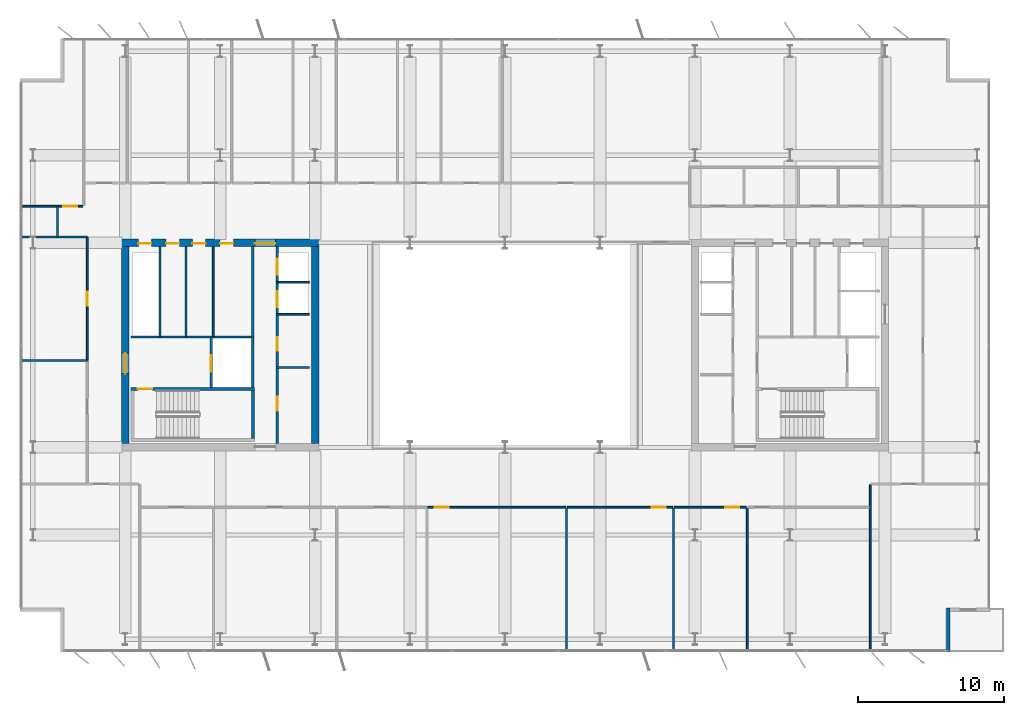
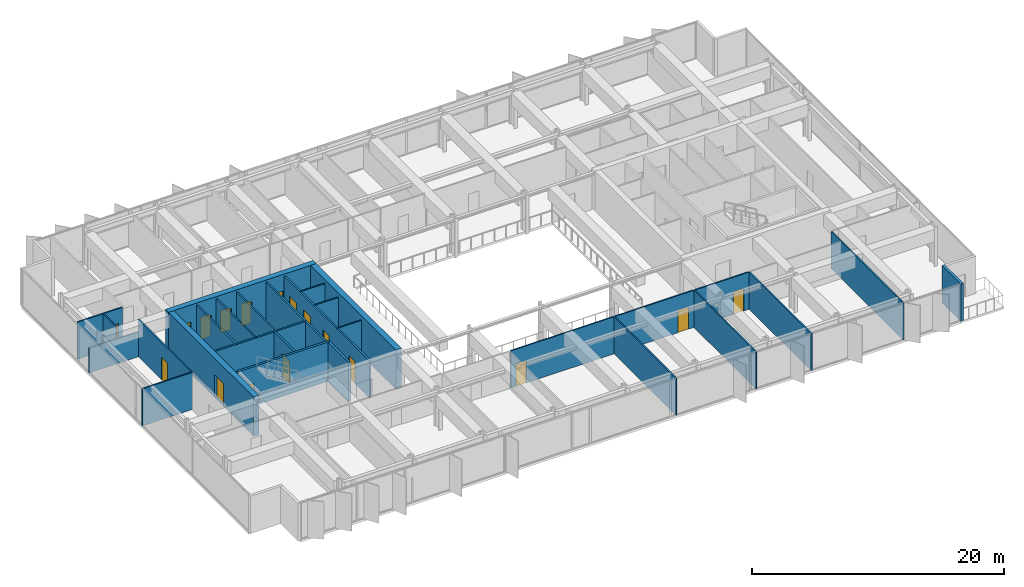
# One storey, part 17 of 24: 29 walls, 17 doors, 17 openings.
"""IFC4 building model written with IfcOpenShell, lengths in metres."""

from ifc_helpers import new_model, si_unit, direction, frame, frame_2d, origin, place, context, subcontext, project, spatial, rectangle, extrude, material, layer, layer_set, type_object, element, fill, save


model = new_model("IFC4")

# Units and contexts
model_context = context("Model", 3, precision=1e-05, world=origin(), true_north=direction((0.0, 1.0)))
body_context = subcontext(model_context, "Body", "Model", "MODEL_VIEW")
ifc_project = project(units=[si_unit("LENGTHUNIT", "METRE"), si_unit("AREAUNIT", "SQUARE_METRE"), si_unit("VOLUMEUNIT", "CUBIC_METRE"), si_unit("PLANEANGLEUNIT", "RADIAN"), si_unit("MASSUNIT", "GRAM", prefix="KILO")], contexts=[model_context])

# Site, building, storey
site_placement = place(None, origin())
site = spatial("IfcSite", under=ifc_project, at=site_placement, CompositionType="ELEMENT")
building_placement = place(site_placement, origin())
building = spatial("IfcBuilding", under=site, at=building_placement, Name="Putna Gate Headquarters", CompositionType="ELEMENT")
storey_placement = place(building_placement, frame((0.0, 0.0, 251.800048828125)))
storey = spatial("IfcBuildingStorey", under=building, at=storey_placement, Name="L63", CompositionType="ELEMENT", Elevation=251.800048828125)

# Wall, openings, doors
ifc_material_1 = material(Name="Concrete C50/60", Category="concrete")
ifc_layer_1 = layer(ifc_material_1, 0.5)
ifc_layer_set_1 = layer_set([ifc_layer_1], Name="Concrete C50/60")
wall_type_1 = type_object("IfcWallType", Name="WALL-CORE-500", PredefinedType="SHEAR", material=ifc_layer_set_1)
wall_1_placement = place(storey_placement, frame((12.75, 33.0, 0.0), z_axis=(0.0, 0.0, 1.0), x_axis=(1.0, 0.0, 0.0)))
wall_1 = element("IfcWall", 1, at=wall_1_placement, inside=storey, type_object=wall_type_1, Name="L63 WC Split Core Shear Wall N", PredefinedType="SHEAR", context=body_context, shape_type="SweptSolid", body=[
    extrude(rectangle(XDim=13.5, YDim=0.5, at=frame_2d((6.75, 0.0))), origin(), (0.0, 0.0, 1.0), 3.800048828125),
])
opening_1_placement = place(wall_1_placement, frame((1.14990234375, 0.0, 0.0)))
opening_1 = element("IfcOpeningElement", 2, at=opening_1_placement, cuts=wall_1, Name="Opening RD-90", PredefinedType="OPENING", context=body_context, shape_type="SweptSolid", body=[
    extrude(rectangle(XDim=0.89990234375, YDim=2.14990234375, at=frame_2d((0.449951171875, 1.074951171875))), frame((0.0, 0.260009765625, 0.0), z_axis=(0.0, -1.0, 0.0), x_axis=(1.0, 0.0, 0.0)), (0.0, 0.0, 1.0), 0.52001953125),
])
opening_2_placement = place(wall_1_placement, frame((3.050048828125, 0.0, 0.0)))
opening_2 = element("IfcOpeningElement", 3, at=opening_2_placement, cuts=wall_1, Name="Opening IDS-90", PredefinedType="OPENING", context=body_context, shape_type="SweptSolid", body=[
    extrude(rectangle(XDim=0.89990234375, YDim=2.14990234375, at=frame_2d((0.449951171875, 1.074951171875))), frame((0.0, 0.260009765625, 0.0), z_axis=(0.0, -1.0, 0.0), x_axis=(1.0, 0.0, 0.0)), (0.0, 0.0, 1.0), 0.52001953125),
])
opening_3_placement = place(wall_1_placement, frame((4.85009765625, 0.0, 0.0)))
opening_3 = element("IfcOpeningElement", 4, at=opening_3_placement, cuts=wall_1, Name="Opening IDS-90", PredefinedType="OPENING", context=body_context, shape_type="SweptSolid", body=[
    extrude(rectangle(XDim=0.89990234375, YDim=2.14990234375, at=frame_2d((0.449951171875, 1.074951171875))), frame((0.0, 0.260009765625, 0.0), z_axis=(0.0, -1.0, 0.0), x_axis=(1.0, 0.0, 0.0)), (0.0, 0.0, 1.0), 0.52001953125),
])
opening_4_placement = place(wall_1_placement, frame((6.75, 0.0, 0.0)))
opening_4 = element("IfcOpeningElement", 5, at=opening_4_placement, cuts=wall_1, Name="Opening IDS-90", PredefinedType="OPENING", context=body_context, shape_type="SweptSolid", body=[
    extrude(rectangle(XDim=0.89990234375, YDim=2.14990234375, at=frame_2d((0.449951171875, 1.074951171875))), frame((0.0, 0.260009765625, 0.0), z_axis=(0.0, -1.0, 0.0), x_axis=(1.0, 0.0, 0.0)), (0.0, 0.0, 1.0), 0.52001953125),
])
opening_5_placement = place(wall_1_placement, frame((9.1298828125, 0.0, 0.0)))
opening_5 = element("IfcOpeningElement", 6, at=opening_5_placement, cuts=wall_1, Name="Opening FDD-140", PredefinedType="OPENING", context=body_context, shape_type="SweptSolid", body=[
    extrude(rectangle(XDim=1.39990234375, YDim=2.199951171875, at=frame_2d((0.699951171875, 1.10009765625))), frame((0.0, 0.260009765625, 0.0), z_axis=(0.0, -1.0, 0.0), x_axis=(1.0, 0.0, 0.0)), (0.0, 0.0, 1.0), 0.52001953125),
])
ifc_material_2 = material(Name="Double steel fire door", Category="steel")
door_type_1 = type_object("IfcDoorType", Name="DOOR-FIRE-DBL-1400", OperationType="DOUBLE_DOOR_SINGLE_SWING", PredefinedType="DOOR", material=ifc_material_2)
door_1_placement = place(opening_5_placement, origin())
door_1 = element("IfcDoor", 7, at=door_1_placement, inside=storey, type_object=door_type_1, Name="L63 West Lift Lobby North Door", OperationType="DOUBLE_DOOR_SINGLE_SWING", OverallHeight=2.199951171875, OverallWidth=1.39990234375, PredefinedType="DOOR", context=body_context, shape_type="SweptSolid", body=[
    extrude(rectangle(XDim=1.39990234375, YDim=2.199951171875, at=frame_2d((0.699951171875, 1.10009765625))), frame((0.0, -0.02490234375, 0.0), z_axis=(0.0, -1.0, 0.0), x_axis=(1.0, 0.0, 0.0)), (0.0, 0.0, 1.0), 0.050048828125),
])
fill(opening_5, door_1)
ifc_material_3 = material(Name="Fire-rated utility door")
door_type_2 = type_object("IfcDoorType", Name="DOOR-INT-900", OperationType="NOTDEFINED", PredefinedType="DOOR", material=ifc_material_3)
door_2_placement = place(opening_2_placement, origin())
door_2 = element("IfcDoor", 8, at=door_2_placement, inside=storey, type_object=door_type_2, Name="L63 Janitor Cupboard Door", OperationType="SINGLE_SWING_LEFT", OverallHeight=2.14990234375, OverallWidth=0.89990234375, PredefinedType="DOOR", context=body_context, shape_type="SweptSolid", body=[
    extrude(rectangle(XDim=0.89990234375, YDim=2.14990234375, at=frame_2d((0.449951171875, 1.074951171875))), frame((0.0, -0.02490234375, 0.0), z_axis=(0.0, -1.0, 0.0), x_axis=(1.0, 0.0, 0.0)), (0.0, 0.0, 1.0), 0.050048828125),
])
fill(opening_2, door_2)
door_3_placement = place(opening_3_placement, origin())
door_3 = element("IfcDoor", 9, at=door_3_placement, inside=storey, type_object=door_type_2, Name="L63 IT Patch Plant Door", OperationType="SINGLE_SWING_RIGHT", OverallHeight=2.14990234375, OverallWidth=0.89990234375, PredefinedType="DOOR", context=body_context, shape_type="SweptSolid", body=[
    extrude(rectangle(XDim=0.89990234375, YDim=2.14990234375, at=frame_2d((0.449951171875, 1.074951171875))), frame((0.0, -0.02490234375, 0.0), z_axis=(0.0, -1.0, 0.0), x_axis=(1.0, 0.0, 0.0)), (0.0, 0.0, 1.0), 0.050048828125),
])
fill(opening_3, door_3)
door_4_placement = place(opening_4_placement, origin())
door_4 = element("IfcDoor", 10, at=door_4_placement, inside=storey, type_object=door_type_2, Name="L63 Building Records Store Door", OperationType="SINGLE_SWING_LEFT", OverallHeight=2.14990234375, OverallWidth=0.89990234375, PredefinedType="DOOR", context=body_context, shape_type="SweptSolid", body=[
    extrude(rectangle(XDim=0.89990234375, YDim=2.14990234375, at=frame_2d((0.449951171875, 1.074951171875))), frame((0.0, -0.02490234375, 0.0), z_axis=(0.0, -1.0, 0.0), x_axis=(1.0, 0.0, 0.0)), (0.0, 0.0, 1.0), 0.050048828125),
])
fill(opening_4, door_4)
ifc_material_4 = material(Name="Steel riser access fire door", Category="steel")
door_type_3 = type_object("IfcDoorType", Name="DOOR-RISER-900", OperationType="NOTDEFINED", PredefinedType="DOOR", material=ifc_material_4)
door_5_placement = place(opening_1_placement, origin())
door_5 = element("IfcDoor", 11, at=door_5_placement, inside=storey, type_object=door_type_3, Name="L63 West Riser Access Door", OperationType="SINGLE_SWING_RIGHT", OverallHeight=2.14990234375, OverallWidth=0.89990234375, PredefinedType="DOOR", context=body_context, shape_type="SweptSolid", body=[
    extrude(rectangle(XDim=0.89990234375, YDim=2.14990234375, at=frame_2d((0.449951171875, 1.074951171875))), frame((0.0, -0.02490234375, 0.0), z_axis=(0.0, -1.0, 0.0), x_axis=(1.0, 0.0, 0.0)), (0.0, 0.0, 1.0), 0.050048828125),
])
fill(opening_1, door_5)

# Wall, opening, door
wall_2_placement = place(storey_placement, frame((13.0, 19.25, 0.0), z_axis=(0.0, 0.0, 1.0), x_axis=(0.0, 1.0, 0.0)))
wall_2 = element("IfcWall", 12, at=wall_2_placement, inside=storey, type_object=wall_type_1, Name="L63 WC Split Core Shear Wall W", PredefinedType="SHEAR", context=body_context, shape_type="SweptSolid", body=[
    extrude(rectangle(XDim=13.5, YDim=0.5, at=frame_2d((6.75, 0.0))), origin(), (0.0, 0.0, 1.0), 3.800048828125),
])
opening_6_placement = place(wall_2_placement, frame((4.800048828125, 0.0, 0.0)))
opening_6 = element("IfcOpeningElement", 13, at=opening_6_placement, cuts=wall_2, Name="Opening FDD-140", PredefinedType="OPENING", context=body_context, shape_type="SweptSolid", body=[
    extrude(rectangle(XDim=1.39990234375, YDim=2.199951171875, at=frame_2d((0.699951171875, 1.10009765625))), frame((0.0, 0.260009765625, 0.0), z_axis=(0.0, -1.0, 0.0), x_axis=(1.0, 0.0, 0.0)), (0.0, 0.0, 1.0), 0.52001953125),
])
door_6_placement = place(opening_6_placement, origin())
door_6 = element("IfcDoor", 14, at=door_6_placement, inside=storey, type_object=door_type_1, Name="L63 West Firefighting Lobby Door", OperationType="DOUBLE_DOOR_SINGLE_SWING", OverallHeight=2.199951171875, OverallWidth=1.39990234375, PredefinedType="DOOR", context=body_context, shape_type="SweptSolid", body=[
    extrude(rectangle(XDim=1.39990234375, YDim=2.199951171875, at=frame_2d((0.699951171875, 1.10009765625))), frame((0.0, 0.02490234375, 0.0), z_axis=(0.0, -1.0, 0.0), x_axis=(1.0, 0.0, 0.0)), (0.0, 0.0, 1.0), 0.050048828125),
])
fill(opening_6, door_6)

# Walls
wall_3_placement = place(storey_placement, frame((26.0, 19.25, 0.0), z_axis=(0.0, 0.0, 1.0), x_axis=(0.0, 1.0, 0.0)))
element("IfcWall", 15, at=wall_3_placement, inside=storey, type_object=wall_type_1, Name="L63 WC Split Core Shear Wall E", PredefinedType="SHEAR", context=body_context, shape_type="SweptSolid", body=[
    extrude(rectangle(XDim=13.5, YDim=0.5, at=frame_2d((6.75, 0.0))), origin(), (0.0, 0.0, 1.0), 3.800048828125),
])
ifc_material_5 = material(Name="Precast concrete C40/50", Category="concrete")
ifc_layer_2 = layer(ifc_material_5, 0.239990234375)
ifc_layer_set_2 = layer_set([ifc_layer_2], Name="Precast concrete C40/50")
wall_type_2 = type_object("IfcWallType", Name="WALL-EXT-TERR-240", PredefinedType="STANDARD", material=ifc_layer_set_2)
wall_4_placement = place(storey_placement, frame((69.320068359375, 8.0, 0.0), z_axis=(0.0, 0.0, 1.0), x_axis=(0.0, -1.0, 0.0)))
element("IfcWall", 16, at=wall_4_placement, inside=storey, type_object=wall_type_2, Name="L63 Corner Notch Return Wall SE-V", PredefinedType="STANDARD", context=body_context, shape_type="SweptSolid", body=[
    extrude(rectangle(XDim=3.0, YDim=0.239990234375, at=frame_2d((1.5, 0.0))), origin(), (0.0, 0.0, 1.0), 3.587890625),
])
ifc_material_6 = material(Name="Acoustic gypsum board on metal stud")
ifc_layer_3 = layer(ifc_material_6, 0.1201171875)
ifc_layer_set_3 = layer_set([ifc_layer_3], Name="Acoustic gypsum board on metal stud")
wall_type_3 = type_object("IfcWallType", Name="WALL-PART-120", PredefinedType="PARTITIONING", material=ifc_layer_set_3)
for number, where, z_axis, x_axis, name in (
    (17, (43.21337890625, 5.02001953125, 0.0), (0.0, 0.0, 1.0), (0.0, 1.0, 0.0), "L63 Interior Wall PART-L63-SB-DIV-05"),
    (18, (50.52392578125, 5.02001953125, 0.0), (0.0, 0.0, 1.0), (0.0, 1.0, 0.0), "L63 Interior Wall PART-L63-SB-DIV-06"),
    (19, (55.5693359375, 5.02001953125, 0.0), (0.0, 0.0, 1.0), (0.0, 1.0, 0.0), "L63 Interior Wall PART-L63-SB-DIV-07"),
):
    element("IfcWall", number, at=place(storey_placement, frame(where, z_axis=z_axis, x_axis=x_axis)), inside=storey, type_object=wall_type_3, Name=name, PredefinedType="PARTITIONING", context=body_context, shape_type="SweptSolid", body=[
        extrude(rectangle(XDim=9.820068359375, YDim=0.1201171875, at=frame_2d((4.91015625, 0.0))), origin(), (0.0, 0.0, 1.0), 3.587890625),
    ])
wall_5_placement = place(storey_placement, frame((64.002685546875, 5.02001953125, 0.0), z_axis=(0.0, 0.0, 1.0), x_axis=(0.0, 1.0, 0.0)))
element("IfcWall", 20, at=wall_5_placement, inside=storey, type_object=wall_type_3, Name="L63 Interior Wall PART-L63-SB-DIV-08", PredefinedType="PARTITIONING", context=body_context, shape_type="SweptSolid", body=[
    extrude(rectangle(XDim=11.419921875, YDim=0.1201171875, at=frame_2d((5.7099609375, 0.0))), origin(), (0.0, 0.0, 1.0), 3.587890625),
])
wall_6_placement = place(storey_placement, frame((5.820068359375, 24.949951171875, 0.0), z_axis=(0.0, 0.0, 1.0), x_axis=(1.0, 0.0, 0.0)))
element("IfcWall", 21, at=wall_6_placement, inside=storey, type_object=wall_type_3, Name="L63 Interior Wall PART-L63-WW-DIV-1", PredefinedType="PARTITIONING", context=body_context, shape_type="SweptSolid", body=[
    extrude(rectangle(XDim=4.579833984375, YDim=0.1201171875, at=frame_2d((2.2900390625, 0.0))), origin(), (0.0, 0.0, 1.0), 3.587890625),
])
ifc_material_7 = material(Name="Fire-rated shaftwall gypsum board on metal stud")
ifc_layer_4 = layer(ifc_material_7, 0.1201171875)
ifc_layer_set_4 = layer_set([ifc_layer_4], Name="Fire-rated shaftwall gypsum board on metal stud")
wall_type_4 = type_object("IfcWallType", Name="WALL-PART-120-EI120", PredefinedType="PARTITIONING", material=ifc_layer_set_4)
wall_7_placement = place(storey_placement, frame((23.39990234375, 30.31005859375, 0.0), z_axis=(0.0, 0.0, 1.0), x_axis=(1.0, 0.0, 0.0)))
element("IfcWall", 22, at=wall_7_placement, inside=storey, type_object=wall_type_4, Name="L63 Interior Wall CWINT-L63-WC-LF09-DIV", PredefinedType="PARTITIONING", context=body_context, shape_type="SweptSolid", body=[
    extrude(rectangle(XDim=2.2001953125, YDim=0.1201171875, at=frame_2d((1.10009765625, 0.0))), origin(), (0.0, 0.0, 1.0), 3.587890625),
])
ifc_material_8 = material(Name="Fire-rated gypsum board on metal stud")
ifc_layer_5 = layer(ifc_material_8, 0.1201171875)
ifc_layer_set_5 = layer_set([ifc_layer_5], Name="Fire-rated gypsum board on metal stud")
wall_type_5 = type_object("IfcWallType", Name="WALL-PART-120-RATED", PredefinedType="PARTITIONING", material=ifc_layer_set_5)
for number, where, z_axis, x_axis, name in (
    (23, (17.169921875, 26.56005859375, 0.0), (0.0, 0.0, 1.0), (0.0, 1.0, 0.0), "L63 Interior Wall CWINT-L63-WC-K2-D1"),
    (24, (19.02001953125, 26.56005859375, 0.0), (0.0, 0.0, 1.0), (0.0, 1.0, 0.0), "L63 Interior Wall CWINT-L63-WC-K2-D2"),
):
    element("IfcWall", number, at=place(storey_placement, frame(where, z_axis=z_axis, x_axis=x_axis)), inside=storey, type_object=wall_type_5, Name=name, PredefinedType="PARTITIONING", context=body_context, shape_type="SweptSolid", body=[
        extrude(rectangle(XDim=6.18994140625, YDim=0.1201171875, at=frame_2d((3.094970703125, 0.0))), origin(), (0.0, 0.0, 1.0), 3.587890625),
    ])
for number, where, z_axis, x_axis, name in (
    (25, (23.39990234375, 24.469970703125, 0.0), (0.0, 0.0, 1.0), (1.0, 0.0, 0.0), "L63 Interior Wall CWINT-L63-WC-REUSE-DIV"),
    (26, (23.39990234375, 28.1201171875, 0.0), (0.0, 0.0, 1.0), (1.0, 0.0, 0.0), "L63 Interior Wall CWINT-L63-WC-LF06-DIV"),
):
    element("IfcWall", number, at=place(storey_placement, frame(where, z_axis=z_axis, x_axis=x_axis)), inside=storey, type_object=wall_type_5, Name=name, PredefinedType="PARTITIONING", context=body_context, shape_type="SweptSolid", body=[
        extrude(rectangle(XDim=2.2001953125, YDim=0.1201171875, at=frame_2d((1.10009765625, 0.0))), origin(), (0.0, 0.0, 1.0), 3.587890625),
    ])
wall_8_placement = place(storey_placement, frame((8.369873046875, 33.39990234375, 0.0), z_axis=(0.0, 0.0, 1.0), x_axis=(0.0, 1.0, 0.0)))
element("IfcWall", 27, at=wall_8_placement, inside=storey, type_object=wall_type_5, Name="L63 Interior Wall PART-L63-CORRN-CAPW", PredefinedType="PARTITIONING", context=body_context, shape_type="SweptSolid", body=[
    extrude(rectangle(XDim=2.10009765625, YDim=0.1201171875, at=frame_2d((1.050048828125, 0.0))), origin(), (0.0, 0.0, 1.0), 3.587890625),
])

# Wall, opening, door
wall_9_placement = place(storey_placement, frame((5.97998046875, 35.5, 0.0), z_axis=(0.0, 0.0, 1.0), x_axis=(1.0, 0.0, 0.0)))
wall_9 = element("IfcWall", 28, at=wall_9_placement, inside=storey, type_object=wall_type_5, Name="L63 Interior Wall PART-L63-NB-CW-01", PredefinedType="PARTITIONING", context=body_context, shape_type="SweptSolid", body=[
    extrude(rectangle(XDim=4.1298828125, YDim=0.1201171875, at=frame_2d((2.06494140625, 0.0))), origin(), (0.0, 0.0, 1.0), 3.587890625),
])
opening_7_placement = place(wall_9_placement, frame((2.784912109375, 0.0, 0.0)))
opening_7 = element("IfcOpeningElement", 29, at=opening_7_placement, cuts=wall_9, Name="Opening FD-95", PredefinedType="OPENING", context=body_context, shape_type="SweptSolid", body=[
    extrude(rectangle(XDim=0.949951171875, YDim=2.14990234375, at=frame_2d((0.47509765625, 1.074951171875))), frame((0.0, 0.070068359375, 0.0), z_axis=(0.0, -1.0, 0.0), x_axis=(1.0, 0.0, 0.0)), (0.0, 0.0, 1.0), 0.14013671875),
])
ifc_material_9 = material(Name="Acoustic timber fire door", Category="wood")
door_type_4 = type_object("IfcDoorType", Name="DOOR-FIRE-950", OperationType="NOTDEFINED", PredefinedType="DOOR", material=ifc_material_9)
door_7_placement = place(opening_7_placement, origin())
door_7 = element("IfcDoor", 30, at=door_7_placement, inside=storey, type_object=door_type_4, Name="L63 Cellular Office 1 Door", OperationType="SINGLE_SWING_RIGHT", OverallHeight=2.14990234375, OverallWidth=0.949951171875, PredefinedType="DOOR", context=body_context, shape_type="SweptSolid", body=[
    extrude(rectangle(XDim=0.949951171875, YDim=2.14990234375, at=frame_2d((0.47509765625, 1.074951171875))), frame((0.0, 0.02490234375, 0.0), z_axis=(0.0, -1.0, 0.0), x_axis=(1.0, 0.0, 0.0)), (0.0, 0.0, 1.0), 0.050048828125),
])
fill(opening_7, door_7)

wall_10_placement = place(storey_placement, frame((33.71728515625, 14.89990234375, 0.0), z_axis=(0.0, 0.0, 1.0), x_axis=(1.0, 0.0, 0.0)))
wall_10 = element("IfcWall", 31, at=wall_10_placement, inside=storey, type_object=wall_type_5, Name="L63 Interior Wall PART-L63-SB-CW-05", PredefinedType="PARTITIONING", context=body_context, shape_type="SweptSolid", body=[
    extrude(rectangle(XDim=9.43603515625, YDim=0.1201171875, at=frame_2d((4.718017578125, 0.0))), origin(), (0.0, 0.0, 1.0), 3.587890625),
])
opening_8_placement = place(wall_10_placement, frame((0.47998046875, 0.0, 0.0)))
opening_8 = element("IfcOpeningElement", 32, at=opening_8_placement, cuts=wall_10, Name="Opening FD-95", PredefinedType="OPENING", context=body_context, shape_type="SweptSolid", body=[
    extrude(rectangle(XDim=0.949951171875, YDim=2.14990234375, at=frame_2d((0.47509765625, 1.074951171875))), frame((0.0, 0.070068359375, 0.0), z_axis=(0.0, -1.0, 0.0), x_axis=(1.0, 0.0, 0.0)), (0.0, 0.0, 1.0), 0.14013671875),
])
door_8_placement = place(opening_8_placement, origin())
door_8 = element("IfcDoor", 33, at=door_8_placement, inside=storey, type_object=door_type_4, Name="L63 Collaborative Breakout Lounge 1 Door", OperationType="SINGLE_SWING_LEFT", OverallHeight=2.14990234375, OverallWidth=0.949951171875, PredefinedType="DOOR", context=body_context, shape_type="SweptSolid", body=[
    extrude(rectangle(XDim=0.949951171875, YDim=2.14990234375, at=frame_2d((0.47509765625, 1.074951171875))), frame((0.0, 0.02490234375, 0.0), z_axis=(0.0, -1.0, 0.0), x_axis=(1.0, 0.0, 0.0)), (0.0, 0.0, 1.0), 0.050048828125),
])
fill(opening_8, door_8)

wall_11_placement = place(storey_placement, frame((43.2734375, 14.89990234375, 0.0), z_axis=(0.0, 0.0, 1.0), x_axis=(1.0, 0.0, 0.0)))
wall_11 = element("IfcWall", 34, at=wall_11_placement, inside=storey, type_object=wall_type_5, Name="L63 Interior Wall PART-L63-SB-CW-06", PredefinedType="PARTITIONING", context=body_context, shape_type="SweptSolid", body=[
    extrude(rectangle(XDim=7.190673828125, YDim=0.1201171875, at=frame_2d((3.59521484375, 0.0))), origin(), (0.0, 0.0, 1.0), 3.587890625),
])
opening_9_placement = place(wall_11_placement, frame((5.760498046875, 0.0, 0.0)))
opening_9 = element("IfcOpeningElement", 35, at=opening_9_placement, cuts=wall_11, Name="Opening FD-95", PredefinedType="OPENING", context=body_context, shape_type="SweptSolid", body=[
    extrude(rectangle(XDim=0.949951171875, YDim=2.14990234375, at=frame_2d((0.47509765625, 1.074951171875))), frame((0.0, 0.070068359375, 0.0), z_axis=(0.0, -1.0, 0.0), x_axis=(1.0, 0.0, 0.0)), (0.0, 0.0, 1.0), 0.14013671875),
])
door_9_placement = place(opening_9_placement, origin())
door_9 = element("IfcDoor", 36, at=door_9_placement, inside=storey, type_object=door_type_4, Name="L63 Quiet Wellness Focus Studio 1 Door", OperationType="SINGLE_SWING_RIGHT", OverallHeight=2.14990234375, OverallWidth=0.949951171875, PredefinedType="DOOR", context=body_context, shape_type="SweptSolid", body=[
    extrude(rectangle(XDim=0.949951171875, YDim=2.14990234375, at=frame_2d((0.47509765625, 1.074951171875))), frame((0.0, 0.02490234375, 0.0), z_axis=(0.0, -1.0, 0.0), x_axis=(1.0, 0.0, 0.0)), (0.0, 0.0, 1.0), 0.050048828125),
])
fill(opening_9, door_9)

wall_12_placement = place(storey_placement, frame((50.583984375, 14.89990234375, 0.0), z_axis=(0.0, 0.0, 1.0), x_axis=(1.0, 0.0, 0.0)))
wall_12 = element("IfcWall", 37, at=wall_12_placement, inside=storey, type_object=wall_type_5, Name="L63 Interior Wall PART-L63-SB-CW-07", PredefinedType="PARTITIONING", context=body_context, shape_type="SweptSolid", body=[
    extrude(rectangle(XDim=4.925537109375, YDim=0.1201171875, at=frame_2d((2.462890625, 0.0))), origin(), (0.0, 0.0, 1.0), 3.587890625),
])
opening_10_placement = place(wall_12_placement, frame((3.495361328125, 0.0, 0.0)))
opening_10 = element("IfcOpeningElement", 38, at=opening_10_placement, cuts=wall_12, Name="Opening FD-95", PredefinedType="OPENING", context=body_context, shape_type="SweptSolid", body=[
    extrude(rectangle(XDim=0.949951171875, YDim=2.14990234375, at=frame_2d((0.47509765625, 1.074951171875))), frame((0.0, 0.070068359375, 0.0), z_axis=(0.0, -1.0, 0.0), x_axis=(1.0, 0.0, 0.0)), (0.0, 0.0, 1.0), 0.14013671875),
])
door_10_placement = place(opening_10_placement, origin())
door_10 = element("IfcDoor", 39, at=door_10_placement, inside=storey, type_object=door_type_4, Name="L63 Quiet Wellness Focus Studio 2 Door", OperationType="SINGLE_SWING_LEFT", OverallHeight=2.14990234375, OverallWidth=0.949951171875, PredefinedType="DOOR", context=body_context, shape_type="SweptSolid", body=[
    extrude(rectangle(XDim=0.949951171875, YDim=2.14990234375, at=frame_2d((0.47509765625, 1.074951171875))), frame((0.0, 0.02490234375, 0.0), z_axis=(0.0, -1.0, 0.0), x_axis=(1.0, 0.0, 0.0)), (0.0, 0.0, 1.0), 0.050048828125),
])
fill(opening_10, door_10)

# Wall
wall_13_placement = place(storey_placement, frame((5.820068359375, 33.39990234375, 0.0), z_axis=(0.0, 0.0, 1.0), x_axis=(1.0, 0.0, 0.0)))
element("IfcWall", 40, at=wall_13_placement, inside=storey, type_object=wall_type_5, Name="L63 Interior Wall PART-L63-WW-N-BOUND", PredefinedType="PARTITIONING", context=body_context, shape_type="SweptSolid", body=[
    extrude(rectangle(XDim=4.579833984375, YDim=0.1201171875, at=frame_2d((2.2900390625, 0.0))), origin(), (0.0, 0.0, 1.0), 2.387939453125),
])

# Wall, opening, door
wall_14_placement = place(storey_placement, frame((10.39990234375, 24.949951171875, 0.0), z_axis=(0.0, 0.0, 1.0), x_axis=(0.0, 1.0, 0.0)))
wall_14 = element("IfcWall", 41, at=wall_14_placement, inside=storey, type_object=wall_type_5, Name="L63 Interior Wall PART-L63-WW-CW-2", PredefinedType="PARTITIONING", context=body_context, shape_type="SweptSolid", body=[
    extrude(rectangle(XDim=8.449951171875, YDim=0.1201171875, at=frame_2d((4.22509765625, 0.0))), origin(), (0.0, 0.0, 1.0), 3.587890625),
])
opening_11_placement = place(wall_14_placement, frame((3.75, 0.0, 0.0)))
opening_11 = element("IfcOpeningElement", 42, at=opening_11_placement, cuts=wall_14, Name="Opening FD-95", PredefinedType="OPENING", context=body_context, shape_type="SweptSolid", body=[
    extrude(rectangle(XDim=0.949951171875, YDim=2.14990234375, at=frame_2d((0.47509765625, 1.074951171875))), frame((0.0, 0.070068359375, 0.0), z_axis=(0.0, -1.0, 0.0), x_axis=(1.0, 0.0, 0.0)), (0.0, 0.0, 1.0), 0.14013671875),
])
door_11_placement = place(opening_11_placement, origin())
door_11 = element("IfcDoor", 43, at=door_11_placement, inside=storey, type_object=door_type_4, Name="L63 West Project Meeting Room 2 Door", OperationType="SINGLE_SWING_LEFT", OverallHeight=2.14990234375, OverallWidth=0.949951171875, PredefinedType="DOOR", context=body_context, shape_type="SweptSolid", body=[
    extrude(rectangle(XDim=0.949951171875, YDim=2.14990234375, at=frame_2d((0.47509765625, 1.074951171875))), frame((0.0, 0.02490234375, 0.0), z_axis=(0.0, -1.0, 0.0), x_axis=(1.0, 0.0, 0.0)), (0.0, 0.0, 1.0), 0.050048828125),
])
fill(opening_11, door_11)

# Wall
ifc_material_10 = material(Name="Concrete C40/50", Category="concrete")
ifc_layer_6 = layer(ifc_material_10, 0.159912109375)
ifc_layer_set_6 = layer_set([ifc_layer_6], Name="Concrete C40/50")
wall_type_6 = type_object("IfcWallType", Name="WALL-SHAFT-160", PredefinedType="STANDARD", material=ifc_layer_set_6)
wall_15_placement = place(storey_placement, frame((21.739990234375, 23.090087890625, 0.0), z_axis=(0.0, 0.0, 1.0), x_axis=(0.0, 1.0, 0.0)))
element("IfcWall", 44, at=wall_15_placement, inside=storey, type_object=wall_type_6, Name="L63 Interior Wall CWINT-L63-WC-FFL-E", PredefinedType="STANDARD", context=body_context, shape_type="SweptSolid", body=[
    extrude(rectangle(XDim=3.469970703125, YDim=0.159912109375, at=frame_2d((1.73486328125, 0.0))), origin(), (0.0, 0.0, 1.0), 3.587890625),
])

# Wall, opening, door
wall_16_placement = place(storey_placement, frame((18.8798828125, 23.090087890625, 0.0), z_axis=(0.0, 0.0, 1.0), x_axis=(0.0, 1.0, 0.0)))
wall_16 = element("IfcWall", 45, at=wall_16_placement, inside=storey, type_object=wall_type_6, Name="L63 Interior Wall CWINT-L63-WC-LF13-W", PredefinedType="STANDARD", context=body_context, shape_type="SweptSolid", body=[
    extrude(rectangle(XDim=3.469970703125, YDim=0.159912109375, at=frame_2d((1.73486328125, 0.0))), origin(), (0.0, 0.0, 1.0), 3.587890625),
])
opening_12_placement = place(wall_16_placement, frame((1.10009765625, 0.0, 0.0)))
opening_12 = element("IfcOpeningElement", 46, at=opening_12_placement, cuts=wall_16, Name="Opening LD-1", PredefinedType="OPENING", context=body_context, shape_type="SweptSolid", body=[
    extrude(rectangle(XDim=1.10009765625, YDim=2.199951171875, at=frame_2d((0.550048828125, 1.10009765625))), frame((0.0, 0.08984375, 0.0), z_axis=(0.0, -1.0, 0.0), x_axis=(1.0, 0.0, 0.0)), (0.0, 0.0, 1.0), 0.179931640625),
])
ifc_material_11 = material(Name="Brushed bronze stainless lift landing door")
door_type_5 = type_object("IfcDoorType", Name="DOOR-LIFT-1100", OperationType="DOUBLE_DOOR_SLIDING", PredefinedType="DOOR", material=ifc_material_11)
door_12_placement = place(opening_12_placement, origin())
door_12 = element("IfcDoor", 47, at=door_12_placement, inside=storey, type_object=door_type_5, Name="L63 Lift Landing Door LD-13", OperationType="DOUBLE_DOOR_SLIDING", OverallHeight=2.199951171875, OverallWidth=1.10009765625, PredefinedType="DOOR", context=body_context, shape_type="SweptSolid", body=[
    extrude(rectangle(XDim=1.10009765625, YDim=2.199951171875, at=frame_2d((0.550048828125, 1.10009765625))), frame((0.0, 0.02490234375, 0.0), z_axis=(0.0, -1.0, 0.0), x_axis=(1.0, 0.0, 0.0)), (0.0, 0.0, 1.0), 0.050048828125),
])
fill(opening_12, door_12)

# Walls
wall_17_placement = place(storey_placement, frame((13.39990234375, 26.56005859375, 0.0), z_axis=(0.0, 0.0, 1.0), x_axis=(1.0, 0.0, 0.0)))
element("IfcWall", 48, at=wall_17_placement, inside=storey, type_object=wall_type_6, Name="L63 Interior Wall CWINT-L63-WC-FFL-N", PredefinedType="STANDARD", context=body_context, shape_type="SweptSolid", body=[
    extrude(rectangle(XDim=8.340087890625, YDim=0.159912109375, at=frame_2d((4.169921875, 0.0))), origin(), (0.0, 0.0, 1.0), 3.587890625),
])
for number, where, z_axis, x_axis, name in (
    (49, (15.3798828125, 26.56005859375, 0.0), (0.0, 0.0, 1.0), (0.0, 1.0, 0.0), "L63 Interior Wall CWINT-L63-WC-RISER-E"),
    (50, (21.739990234375, 26.56005859375, 0.0), (0.0, 0.0, 1.0), (0.0, 1.0, 0.0), "L63 Interior Wall CWINT-L63-WC-LOB-W"),
):
    element("IfcWall", number, at=place(storey_placement, frame(where, z_axis=z_axis, x_axis=x_axis)), inside=storey, type_object=wall_type_6, Name=name, PredefinedType="STANDARD", context=body_context, shape_type="SweptSolid", body=[
        extrude(rectangle(XDim=6.18994140625, YDim=0.159912109375, at=frame_2d((3.094970703125, 0.0))), origin(), (0.0, 0.0, 1.0), 3.587890625),
    ])

# Wall, openings, doors
wall_18_placement = place(storey_placement, frame((23.39990234375, 19.25, 0.0), z_axis=(0.0, 0.0, 1.0), x_axis=(0.0, 1.0, 0.0)))
wall_18 = element("IfcWall", 51, at=wall_18_placement, inside=storey, type_object=wall_type_6, Name="L63 Interior Wall CWINT-L63-WC-PL-WALL", PredefinedType="STANDARD", context=body_context, shape_type="SweptSolid", body=[
    extrude(rectangle(XDim=13.5, YDim=0.159912109375, at=frame_2d((6.75, 0.0))), origin(), (0.0, 0.0, 1.0), 3.587890625),
])
opening_13_placement = place(wall_18_placement, frame((2.25, 0.0, 0.0)))
opening_13 = element("IfcOpeningElement", 52, at=opening_13_placement, cuts=wall_18, Name="Opening IDS-95", PredefinedType="OPENING", context=body_context, shape_type="SweptSolid", body=[
    extrude(rectangle(XDim=0.949951171875, YDim=2.14990234375, at=frame_2d((0.47509765625, 1.074951171875))), frame((0.0, 0.08984375, 0.0), z_axis=(0.0, -1.0, 0.0), x_axis=(1.0, 0.0, 0.0)), (0.0, 0.0, 1.0), 0.179931640625),
])
opening_14_placement = place(wall_18_placement, frame((6.35009765625, 0.0, 0.0)))
opening_14 = element("IfcOpeningElement", 53, at=opening_14_placement, cuts=wall_18, Name="Opening IDS-95", PredefinedType="OPENING", context=body_context, shape_type="SweptSolid", body=[
    extrude(rectangle(XDim=0.949951171875, YDim=2.14990234375, at=frame_2d((0.47509765625, 1.074951171875))), frame((0.0, 0.08984375, 0.0), z_axis=(0.0, -1.0, 0.0), x_axis=(1.0, 0.0, 0.0)), (0.0, 0.0, 1.0), 0.179931640625),
])
opening_15_placement = place(wall_18_placement, frame((9.35009765625, 0.0, 0.0)))
opening_15 = element("IfcOpeningElement", 54, at=opening_15_placement, cuts=wall_18, Name="Opening LD-1", PredefinedType="OPENING", context=body_context, shape_type="SweptSolid", body=[
    extrude(rectangle(XDim=1.10009765625, YDim=2.199951171875, at=frame_2d((0.550048828125, 1.10009765625))), frame((0.0, 0.08984375, 0.0), z_axis=(0.0, -1.0, 0.0), x_axis=(1.0, 0.0, 0.0)), (0.0, 0.0, 1.0), 0.179931640625),
])
opening_16_placement = place(wall_18_placement, frame((11.550048828125, 0.0, 0.0)))
opening_16 = element("IfcOpeningElement", 55, at=opening_16_placement, cuts=wall_18, Name="Opening LD-1", PredefinedType="OPENING", context=body_context, shape_type="SweptSolid", body=[
    extrude(rectangle(XDim=1.10009765625, YDim=2.199951171875, at=frame_2d((0.550048828125, 1.10009765625))), frame((0.0, 0.08984375, 0.0), z_axis=(0.0, -1.0, 0.0), x_axis=(1.0, 0.0, 0.0)), (0.0, 0.0, 1.0), 0.179931640625),
])
ifc_material_12 = material(Name="Fire-rated service timber door", Category="wood")
door_type_6 = type_object("IfcDoorType", Name="DOOR-INT-950", OperationType="NOTDEFINED", PredefinedType="DOOR", material=ifc_material_12)
door_13_placement = place(opening_13_placement, origin())
door_13 = element("IfcDoor", 56, at=door_13_placement, inside=storey, type_object=door_type_6, Name="L63 Tenant IT Hub Door", OperationType="SINGLE_SWING_LEFT", OverallHeight=2.14990234375, OverallWidth=0.949951171875, PredefinedType="DOOR", context=body_context, shape_type="SweptSolid", body=[
    extrude(rectangle(XDim=0.949951171875, YDim=2.14990234375, at=frame_2d((0.47509765625, 1.074951171875))), frame((0.0, 0.02490234375, 0.0), z_axis=(0.0, -1.0, 0.0), x_axis=(1.0, 0.0, 0.0)), (0.0, 0.0, 1.0), 0.050048828125),
])
fill(opening_13, door_13)
door_14_placement = place(opening_14_placement, origin())
door_14 = element("IfcDoor", 57, at=door_14_placement, inside=storey, type_object=door_type_6, Name="L63 Records Vault Door", OperationType="SINGLE_SWING_RIGHT", OverallHeight=2.14990234375, OverallWidth=0.949951171875, PredefinedType="DOOR", context=body_context, shape_type="SweptSolid", body=[
    extrude(rectangle(XDim=0.949951171875, YDim=2.14990234375, at=frame_2d((0.47509765625, 1.074951171875))), frame((0.0, 0.02490234375, 0.0), z_axis=(0.0, -1.0, 0.0), x_axis=(1.0, 0.0, 0.0)), (0.0, 0.0, 1.0), 0.050048828125),
])
fill(opening_14, door_14)
door_15_placement = place(opening_15_placement, origin())
door_15 = element("IfcDoor", 58, at=door_15_placement, inside=storey, type_object=door_type_5, Name="L63 Lift Landing Door LD-09", OperationType="DOUBLE_DOOR_SLIDING", OverallHeight=2.199951171875, OverallWidth=1.10009765625, PredefinedType="DOOR", context=body_context, shape_type="SweptSolid", body=[
    extrude(rectangle(XDim=1.10009765625, YDim=2.199951171875, at=frame_2d((0.550048828125, 1.10009765625))), frame((0.0, 0.02490234375, 0.0), z_axis=(0.0, -1.0, 0.0), x_axis=(1.0, 0.0, 0.0)), (0.0, 0.0, 1.0), 0.050048828125),
])
fill(opening_15, door_15)
door_16_placement = place(opening_16_placement, origin())
door_16 = element("IfcDoor", 59, at=door_16_placement, inside=storey, type_object=door_type_5, Name="L63 Lift Landing Door LD-10", OperationType="DOUBLE_DOOR_SLIDING", OverallHeight=2.199951171875, OverallWidth=1.10009765625, PredefinedType="DOOR", context=body_context, shape_type="SweptSolid", body=[
    extrude(rectangle(XDim=1.10009765625, YDim=2.199951171875, at=frame_2d((0.550048828125, 1.10009765625))), frame((0.0, 0.02490234375, 0.0), z_axis=(0.0, -1.0, 0.0), x_axis=(1.0, 0.0, 0.0)), (0.0, 0.0, 1.0), 0.050048828125),
])
fill(opening_16, door_16)

# Wall, opening, door
ifc_layer_7 = layer(ifc_material_10, 0.199951171875)
ifc_layer_set_7 = layer_set([ifc_layer_7], Name="Concrete C40/50")
wall_type_7 = type_object("IfcWallType", Name="WALL-SHAFT-RC200", PredefinedType="SHEAR", material=ifc_layer_set_7)
wall_19_placement = place(storey_placement, frame((13.409912109375, 22.989990234375, 0.0), z_axis=(0.0, 0.0, 1.0), x_axis=(1.0, 0.0, 0.0)))
wall_19 = element("IfcWall", 60, at=wall_19_placement, inside=storey, type_object=wall_type_7, Name="L63 Stair ST1 Structural Shaft Wall N", PredefinedType="SHEAR", context=body_context, shape_type="SweptSolid", body=[
    extrude(rectangle(XDim=8.43017578125, YDim=0.199951171875, at=frame_2d((4.215087890625, 0.0))), origin(), (0.0, 0.0, 1.0), 3.800048828125),
])
opening_17_placement = place(wall_19_placement, frame((0.449951171875, 0.0, 0.0)))
opening_17 = element("IfcOpeningElement", 61, at=opening_17_placement, cuts=wall_19, Name="Opening FD-100", PredefinedType="OPENING", context=body_context, shape_type="SweptSolid", body=[
    extrude(rectangle(XDim=1.0, YDim=2.14990234375, at=frame_2d((0.5, 1.074951171875))), frame((0.0, 0.10986328125, 0.0), z_axis=(0.0, -1.0, 0.0), x_axis=(1.0, 0.0, 0.0)), (0.0, 0.0, 1.0), 0.219970703125),
])
ifc_material_13 = material(Name="Powder-coated steel fire door", Category="steel")
door_type_7 = type_object("IfcDoorType", Name="DOOR-FIRE-1000", OperationType="NOTDEFINED", PredefinedType="DOOR", material=ifc_material_13)
door_17_placement = place(opening_17_placement, origin())
door_17 = element("IfcDoor", 62, at=door_17_placement, inside=storey, type_object=door_type_7, Name="L63 Stair ST1 Fire Door", OperationType="SINGLE_SWING_LEFT", OverallHeight=2.14990234375, OverallWidth=1.0, PredefinedType="DOOR", context=body_context, shape_type="SweptSolid", body=[
    extrude(rectangle(XDim=1.0, YDim=2.14990234375, at=frame_2d((0.5, 1.074951171875))), frame((0.0, 0.02490234375, 0.0), z_axis=(0.0, -1.0, 0.0), x_axis=(1.0, 0.0, 0.0)), (0.0, 0.0, 1.0), 0.050048828125),
])
fill(opening_17, door_17)

# Wall
wall_20_placement = place(storey_placement, frame((21.739990234375, 19.610107421875, 0.0), z_axis=(0.0, 0.0, 1.0), x_axis=(0.0, 1.0, 0.0)))
element("IfcWall", 63, at=wall_20_placement, inside=storey, type_object=wall_type_7, Name="L63 Stair ST1 Structural Shaft Wall E", PredefinedType="SHEAR", context=body_context, shape_type="SweptSolid", body=[
    extrude(rectangle(XDim=3.27978515625, YDim=0.199951171875, at=frame_2d((1.639892578125, 0.0))), origin(), (0.0, 0.0, 1.0), 3.800048828125),
])

save(model, "model.ifc")
